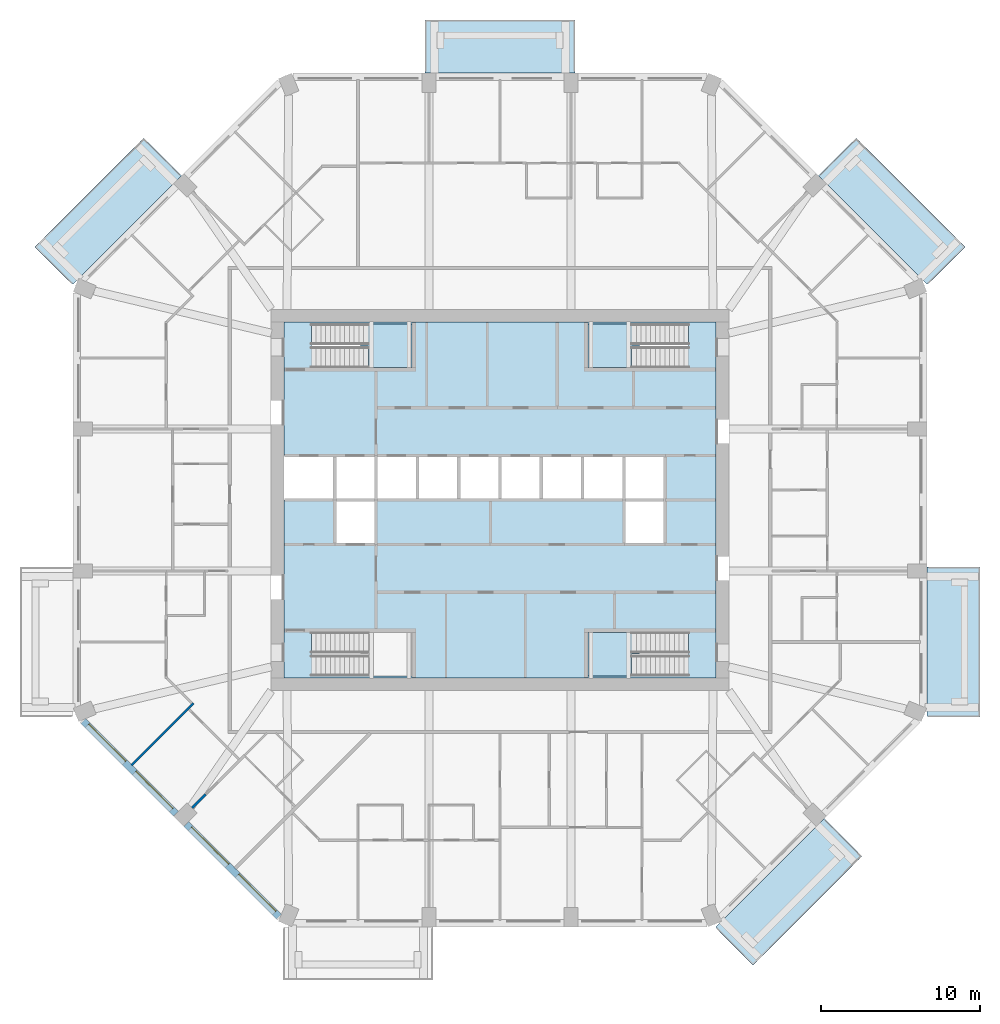
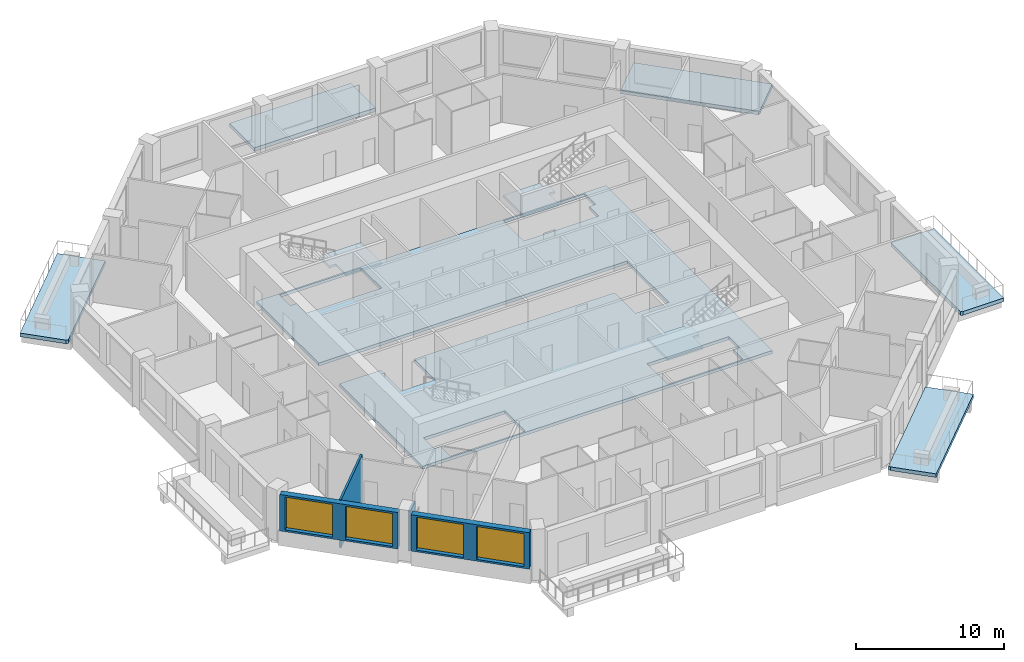
# One storey, part 2 of 12: 9 slabs, 4 walls, 4 windows, 4 openings, 3 elements without a shape of their own.
"""IFC4 building model written with IfcOpenShell, lengths in metres."""

from ifc_helpers import new_model, si_unit, direction, frame, frame_2d, origin, place, context, subcontext, project, spatial, polyline, rectangle, outline, extrude, material, layer, layer_set, type_object, element, fill, aggregate, save


model = new_model("IFC4")

# Units and contexts
model_context = context("Model", 3, precision=1e-05, world=origin(), true_north=direction((0.0, 1.0)))
body_context = subcontext(model_context, "Body", "Model", "MODEL_VIEW")
ifc_project = project(units=[si_unit("LENGTHUNIT", "METRE"), si_unit("AREAUNIT", "SQUARE_METRE"), si_unit("VOLUMEUNIT", "CUBIC_METRE"), si_unit("PLANEANGLEUNIT", "RADIAN"), si_unit("MASSUNIT", "GRAM", prefix="KILO")], contexts=[model_context])

# Site, building, storey
site_placement = place(None, origin())
site = spatial("IfcSite", under=ifc_project, at=site_placement, CompositionType="ELEMENT")
building_placement = place(site_placement, origin())
building = spatial("IfcBuilding", under=site, at=building_placement, Name="Msitu Wima Residences", CompositionType="ELEMENT")
storey_placement = place(building_placement, frame((0.0, 0.0, 119.10009765625)))
storey = spatial("IfcBuildingStorey", under=building, at=storey_placement, Name="L27", CompositionType="ELEMENT", Elevation=119.10009765625)

# Slabs
ifc_material_1 = material(Name="Concrete C40/50", Category="concrete")
ifc_layer_1 = layer(ifc_material_1, 0.300048828125)
ifc_layer_set_1 = layer_set([ifc_layer_1], Name="Concrete C40/50")
slab_type_1 = type_object("IfcSlabType", Name="Balcony slab BS300", PredefinedType="FLOOR", material=ifc_layer_set_1)
slab_1_placement = place(storey_placement, frame((0.0, 0.0, -0.300048828125)))
element("IfcSlab", 1, at=slab_1_placement, inside=storey, type_object=slab_type_1, Name="Balcony E0 L27", PredefinedType="FLOOR", context=body_context, shape_type="SweptSolid", body=[
    extrude(outline(polyline([(26.85009765625, -13.105224609375), (26.85009765625, -13.105224609375), (26.85009765625, -4.918701171875), (26.85009765625, -4.918701171875), (26.85009765625, -4.21875), (30.199951171875, -4.21875), (30.199951171875, -13.656005859375), (27.003662109375, -13.656005859375), (26.85009765625, -13.59228515625), (26.85009765625, -13.105224609375), (26.85009765625, -13.105224609375)])), origin(), (0.0, 0.0, 1.0), 0.300048828125),
])
slab_2_placement = place(storey_placement, frame((0.0, 0.0, -0.300048828125)))
element("IfcSlab", 2, at=slab_2_placement, inside=storey, type_object=slab_type_1, Name="Balcony NE0 L27", PredefinedType="FLOOR", context=body_context, shape_type="SweptSolid", body=[
    extrude(outline(polyline([(22.4130859375, 22.766845703125), (29.263671875, 15.916015625), (27.003662109375, 13.656005859375), (26.85009765625, 13.59228515625), (20.04443359375, 20.39794921875), (22.4130859375, 22.766845703125)])), origin(), (0.0, 0.0, 1.0), 0.300048828125),
])
slab_3_placement = place(storey_placement, frame((0.0, 0.0, -0.300048828125)))
element("IfcSlab", 3, at=slab_3_placement, inside=storey, type_object=slab_type_1, Name="Balcony N1 L27", PredefinedType="FLOOR", context=body_context, shape_type="SweptSolid", body=[
    extrude(outline(polyline([(-4.0185546875, 26.85009765625), (-4.0185546875, 26.85009765625), (-4.71875, 26.85009765625), (-4.71875, 30.199951171875), (4.71875, 30.199951171875), (4.71875, 26.85009765625), (4.0185546875, 26.85009765625), (4.0185546875, 26.85009765625), (-4.0185546875, 26.85009765625)])), origin(), (0.0, 0.0, 1.0), 0.300048828125),
])
slab_4_placement = place(storey_placement, frame((0.0, 0.0, -0.300048828125)))
element("IfcSlab", 4, at=slab_4_placement, inside=storey, type_object=slab_type_1, Name="Balcony NW1 L27", PredefinedType="FLOOR", context=body_context, shape_type="SweptSolid", body=[
    extrude(outline(polyline([(-29.263671875, 15.916015625), (-22.4130859375, 22.766845703125), (-20.04443359375, 20.39794921875), (-26.85009765625, 13.59228515625), (-27.003662109375, 13.656005859375), (-29.263671875, 15.916015625)])), origin(), (0.0, 0.0, 1.0), 0.300048828125),
])
slab_5_placement = place(storey_placement, frame((0.0, 0.0, -0.300048828125)))
element("IfcSlab", 5, at=slab_5_placement, inside=storey, type_object=slab_type_1, Name="Balcony SE0 L27", PredefinedType="FLOOR", context=body_context, shape_type="SweptSolid", body=[
    extrude(outline(polyline([(22.766845703125, -22.4130859375), (15.916015625, -29.263671875), (13.656005859375, -27.003662109375), (13.59228515625, -26.85009765625), (20.39794921875, -20.04443359375), (22.766845703125, -22.4130859375)])), origin(), (0.0, 0.0, 1.0), 0.300048828125),
])
ifc_layer_2 = layer(ifc_material_1, 0.25)
ifc_layer_set_2 = layer_set([ifc_layer_2], Name="Concrete C40/50")
slab_type_2 = type_object("IfcSlabType", Name="Core floor CF250", PredefinedType="FLOOR", material=ifc_layer_set_2)
slab_6_placement = place(storey_placement, frame((0.0, 0.0, -0.25)))
element("IfcSlab", 6, at=slab_6_placement, inside=storey, type_object=slab_type_2, Name="Core floor", PredefinedType="FLOOR", context=body_context, shape_type="SweptSolid", body=[
    extrude(outline(polyline([(-13.60009765625, 11.199951171875), (-13.60009765625, 2.800048828125), (-10.39990234375, 2.800048828125), (-7.800048828125, 2.800048828125), (-5.199951171875, 2.800048828125), (-2.60009765625, 2.800048828125), (0.0, 2.800048828125), (2.60009765625, 2.800048828125), (5.199951171875, 2.800048828125), (7.800048828125, 2.800048828125), (10.39990234375, 2.800048828125), (10.39990234375, 0.0), (10.39990234375, -2.800048828125), (7.800048828125, -2.800048828125), (7.800048828125, 0.0), (5.199951171875, 0.0), (2.60009765625, 0.0), (0.0, 0.0), (-2.60009765625, 0.0), (-5.199951171875, 0.0), (-7.800048828125, 0.0), (-7.800048828125, -2.800048828125), (-10.39990234375, -2.800048828125), (-10.39990234375, 0.0), (-13.60009765625, 0.0), (-13.60009765625, -11.199951171875), (13.60009765625, -11.199951171875), (13.60009765625, 11.199951171875), (-13.60009765625, 11.199951171875)]), holes=[polyline([(-11.375, -11.074951171875), (-11.375, -9.77490234375), (-11.87451171875, -9.77490234375), (-11.87451171875, -8.324951171875), (-5.52490234375, -8.324951171875), (-5.52490234375, -11.074951171875), (-11.375, -11.074951171875)]), polyline([(-11.375, 9.625), (-11.87451171875, 9.625), (-11.87451171875, 11.074951171875), (-5.52490234375, 11.074951171875), (-5.52490234375, 8.324951171875), (-11.375, 8.324951171875), (-11.375, 9.625)]), polyline([(11.375, -9.77490234375), (11.375, -11.074951171875), (5.52490234375, -11.074951171875), (5.52490234375, -8.324951171875), (11.87451171875, -8.324951171875), (11.87451171875, -9.77490234375), (11.375, -9.77490234375)]), polyline([(11.375, 9.625), (11.375, 8.324951171875), (5.52490234375, 8.324951171875), (5.52490234375, 11.074951171875), (11.87451171875, 11.074951171875), (11.87451171875, 9.625), (11.375, 9.625)])]), origin(), (0.0, 0.0, 1.0), 0.25),
])

# Stair, slab
stair_type = type_object("IfcStairType", Name="Exit stair ES1615-130", PredefinedType="HALF_TURN_STAIR", material=ifc_material_1)
stair_1_placement = place(storey_placement, origin())
stair_1 = element("IfcStair", 7, at=stair_1_placement, inside=storey, type_object=stair_type, Name="Exit stair 1", PredefinedType="HALF_TURN_STAIR")
ifc_layer_3 = layer(ifc_material_1, 0.199951171875)
ifc_layer_set_3 = layer_set([ifc_layer_3], Name="Concrete C40/50")
slab_type_3 = type_object("IfcSlabType", Name="Stair landing SL200", PredefinedType="LANDING", material=ifc_layer_set_3)
slab_7_placement = place(storey_placement, frame((0.0, 0.0, 1.89990234375)))
slab_7 = element("IfcSlab", 8, at=slab_7_placement, type_object=slab_type_3, Name="S1 landing 1", PredefinedType="LANDING", context=body_context, shape_type="SweptSolid", body=[
    extrude(outline(polyline([(-5.52490234375, 8.324951171875), (-8.275390625, 8.324951171875), (-8.275390625, 9.699951171875), (-8.77490234375, 9.699951171875), (-8.77490234375, 11.074951171875), (-5.52490234375, 11.074951171875), (-5.52490234375, 8.324951171875)])), origin(), (0.0, 0.0, 1.0), 0.199951171875),
])
aggregate(stair_1, [slab_7])

stair_2_placement = place(storey_placement, origin())
stair_2 = element("IfcStair", 9, at=stair_2_placement, inside=storey, type_object=stair_type, Name="Exit stair 3", PredefinedType="HALF_TURN_STAIR")
slab_8_placement = place(storey_placement, frame((0.0, 0.0, 1.89990234375)))
slab_8 = element("IfcSlab", 10, at=slab_8_placement, type_object=slab_type_3, Name="S3 landing 1", PredefinedType="LANDING", context=body_context, shape_type="SweptSolid", body=[
    extrude(outline(polyline([(5.52490234375, 8.324951171875), (8.275390625, 8.324951171875), (8.275390625, 9.699951171875), (8.77490234375, 9.699951171875), (8.77490234375, 11.074951171875), (5.52490234375, 11.074951171875), (5.52490234375, 8.324951171875)])), origin(), (0.0, 0.0, 1.0), 0.199951171875),
])
aggregate(stair_2, [slab_8])

stair_3_placement = place(storey_placement, origin())
stair_3 = element("IfcStair", 11, at=stair_3_placement, inside=storey, type_object=stair_type, Name="Exit stair 4", PredefinedType="HALF_TURN_STAIR")
slab_9_placement = place(storey_placement, frame((0.0, 0.0, 1.89990234375)))
slab_9 = element("IfcSlab", 12, at=slab_9_placement, type_object=slab_type_3, Name="S4 landing 1", PredefinedType="LANDING", context=body_context, shape_type="SweptSolid", body=[
    extrude(outline(polyline([(5.52490234375, -11.074951171875), (8.275390625, -11.074951171875), (8.275390625, -9.699951171875), (8.77490234375, -9.699951171875), (8.77490234375, -8.324951171875), (5.52490234375, -8.324951171875), (5.52490234375, -11.074951171875)])), origin(), (0.0, 0.0, 1.0), 0.199951171875),
])
aggregate(stair_3, [slab_9])

# Wall, openings, windows
ifc_material_2 = material(Name="Brick (red buff mix)", Category="masonry")
ifc_layer_4 = layer(ifc_material_2, 0.449951171875)
ifc_layer_set_4 = layer_set([ifc_layer_4], Name="Brick (red buff mix)")
wall_type_1 = type_object("IfcWallType", Name="Brick infill wall BW450", PredefinedType="SOLIDWALL", material=ifc_layer_set_4)
wall_1_placement = place(storey_placement, frame((-26.214599609375, -13.909423828125, 0.89990234375), z_axis=(0.0, 0.0, 1.0), x_axis=(0.707106781187, -0.707106781187, 0.0)))
wall_1 = element("IfcWall", 13, at=wall_1_placement, inside=storey, type_object=wall_type_1, Name="Brick infill wall L27 SW0", PredefinedType="SOLIDWALL", context=body_context, shape_type="SweptSolid", body=[
    extrude(rectangle(XDim=8.251220703125, YDim=0.449951171875, at=frame_2d((4.12548828125, 0.0))), origin(), (0.0, 0.0, 1.0), 3.0),
])
opening_1_placement = place(wall_1_placement, frame((0.37548828125, 0.0, 0.14990234375)))
opening_1 = element("IfcOpeningElement", 14, at=opening_1_placement, cuts=wall_1, Name="Opening W27-29.025", PredefinedType="OPENING", context=body_context, shape_type="SweptSolid", body=[
    extrude(rectangle(XDim=3.300048828125, YDim=2.699951171875, at=frame_2d((1.64990234375, 1.35009765625))), frame((0.0, 0.23486328125, 0.0), z_axis=(0.0, -1.0, 0.0), x_axis=(1.0, 0.0, 0.0)), (0.0, 0.0, 1.0), 0.469970703125),
])
opening_2_placement = place(wall_1_placement, frame((4.57568359375, 0.0, 0.14990234375)))
opening_2 = element("IfcOpeningElement", 15, at=opening_2_placement, cuts=wall_1, Name="Opening W27-29.026", PredefinedType="OPENING", context=body_context, shape_type="SweptSolid", body=[
    extrude(rectangle(XDim=3.300048828125, YDim=2.699951171875, at=frame_2d((1.64990234375, 1.35009765625))), frame((0.0, 0.23486328125, 0.0), z_axis=(0.0, -1.0, 0.0), x_axis=(1.0, 0.0, 0.0)), (0.0, 0.0, 1.0), 0.469970703125),
])
ifc_material_3 = material(Name="Anodised aluminium, bronze finish, clear low-emissivity double glazing", Category="aluminium")
window_type = type_object("IfcWindowType", Name="Window W3300x2700", PartitioningType="DOUBLE_PANEL_VERTICAL", PredefinedType="WINDOW", material=ifc_material_3)
window_1_placement = place(opening_1_placement, origin())
window_1 = element("IfcWindow", 16, at=window_1_placement, inside=storey, type_object=window_type, Name="Window L27 SW0.1", OverallHeight=2.699951171875, OverallWidth=3.300048828125, PartitioningType="SINGLE_PANEL", PredefinedType="WINDOW", context=body_context, shape_type="SweptSolid", body=[
    extrude(rectangle(XDim=3.300048828125, YDim=2.699951171875, at=frame_2d((1.64990234375, 1.35009765625))), frame((0.0, 0.135009765625, 0.0), z_axis=(0.0, -1.0, 0.0), x_axis=(1.0, 0.0, 0.0)), (0.0, 0.0, 1.0), 0.06005859375),
])
fill(opening_1, window_1)
window_2_placement = place(opening_2_placement, origin())
window_2 = element("IfcWindow", 17, at=window_2_placement, inside=storey, type_object=window_type, Name="Window L27 SW0.2", OverallHeight=2.699951171875, OverallWidth=3.300048828125, PartitioningType="SINGLE_PANEL", PredefinedType="WINDOW", context=body_context, shape_type="SweptSolid", body=[
    extrude(rectangle(XDim=3.300048828125, YDim=2.699951171875, at=frame_2d((1.64990234375, 1.35009765625))), frame((0.0, 0.135009765625, 0.0), z_axis=(0.0, -1.0, 0.0), x_axis=(1.0, 0.0, 0.0)), (0.0, 0.0, 1.0), 0.06005859375),
])
fill(opening_2, window_2)

wall_2_placement = place(storey_placement, frame((-19.743896484375, -20.380126953125, 0.89990234375), z_axis=(0.0, 0.0, 1.0), x_axis=(0.707106781187, -0.707106781187, 0.0)))
wall_2 = element("IfcWall", 18, at=wall_2_placement, inside=storey, type_object=wall_type_1, Name="Brick infill wall L27 SW1", PredefinedType="SOLIDWALL", context=body_context, shape_type="SweptSolid", body=[
    extrude(rectangle(XDim=8.251220703125, YDim=0.449951171875, at=frame_2d((4.12548828125, 0.0))), origin(), (0.0, 0.0, 1.0), 3.0),
])
opening_3_placement = place(wall_2_placement, frame((0.37548828125, 0.0, 0.14990234375)))
opening_3 = element("IfcOpeningElement", 19, at=opening_3_placement, cuts=wall_2, Name="Opening W27-29.027", PredefinedType="OPENING", context=body_context, shape_type="SweptSolid", body=[
    extrude(rectangle(XDim=3.300048828125, YDim=2.699951171875, at=frame_2d((1.64990234375, 1.35009765625))), frame((0.0, 0.23486328125, 0.0), z_axis=(0.0, -1.0, 0.0), x_axis=(1.0, 0.0, 0.0)), (0.0, 0.0, 1.0), 0.469970703125),
])
opening_4_placement = place(wall_2_placement, frame((4.57568359375, 0.0, 0.14990234375)))
opening_4 = element("IfcOpeningElement", 20, at=opening_4_placement, cuts=wall_2, Name="Opening W27-29.028", PredefinedType="OPENING", context=body_context, shape_type="SweptSolid", body=[
    extrude(rectangle(XDim=3.300048828125, YDim=2.699951171875, at=frame_2d((1.64990234375, 1.35009765625))), frame((0.0, 0.23486328125, 0.0), z_axis=(0.0, -1.0, 0.0), x_axis=(1.0, 0.0, 0.0)), (0.0, 0.0, 1.0), 0.469970703125),
])
window_3_placement = place(opening_3_placement, origin())
window_3 = element("IfcWindow", 21, at=window_3_placement, inside=storey, type_object=window_type, Name="Window L27 SW1.1", OverallHeight=2.699951171875, OverallWidth=3.300048828125, PartitioningType="SINGLE_PANEL", PredefinedType="WINDOW", context=body_context, shape_type="SweptSolid", body=[
    extrude(rectangle(XDim=3.300048828125, YDim=2.699951171875, at=frame_2d((1.64990234375, 1.35009765625))), frame((0.0, 0.135009765625, 0.0), z_axis=(0.0, -1.0, 0.0), x_axis=(1.0, 0.0, 0.0)), (0.0, 0.0, 1.0), 0.06005859375),
])
fill(opening_3, window_3)
window_4_placement = place(opening_4_placement, origin())
window_4 = element("IfcWindow", 22, at=window_4_placement, inside=storey, type_object=window_type, Name="Window L27 SW1.2", OverallHeight=2.699951171875, OverallWidth=3.300048828125, PartitioningType="SINGLE_PANEL", PredefinedType="WINDOW", context=body_context, shape_type="SweptSolid", body=[
    extrude(rectangle(XDim=3.300048828125, YDim=2.699951171875, at=frame_2d((1.64990234375, 1.35009765625))), frame((0.0, 0.135009765625, 0.0), z_axis=(0.0, -1.0, 0.0), x_axis=(1.0, 0.0, 0.0)), (0.0, 0.0, 1.0), 0.06005859375),
])
fill(opening_4, window_4)

# Walls
ifc_material_4 = material(Name="Plaster")
ifc_layer_5 = layer(ifc_material_4, 0.011962890625, Name="Plaster")
ifc_material_5 = material(Name="Concrete blockwork", Category="masonry")
ifc_layer_6 = layer(ifc_material_5, 0.1259765625, Name="Concrete blockwork")
ifc_layer_7 = layer(ifc_material_4, 0.011962890625, Name="Plaster")
ifc_layer_set_5 = layer_set([ifc_layer_5, ifc_layer_6, ifc_layer_7], Name="Concrete blockwork")
wall_type_2 = type_object("IfcWallType", Name="Partition PW150", PredefinedType="PARTITIONING", material=ifc_layer_set_5)
wall_3_placement = place(storey_placement, frame((-23.1904296875, -16.693359375, 0.0), z_axis=(0.0, 0.0, 1.0), x_axis=(0.707106781187, 0.707106781187, 0.0)))
element("IfcWall", 23, at=wall_3_placement, inside=storey, type_object=wall_type_2, Name="Partition", PredefinedType="PARTITIONING", context=body_context, shape_type="SweptSolid", body=[
    extrude(rectangle(XDim=5.530029296875, YDim=0.14990234375, at=frame_2d((2.76513671875, 0.0))), origin(), (0.0, 0.0, 1.0), 3.949951171875),
])
wall_4_placement = place(storey_placement, frame((-19.37255859375, -19.37255859375, 0.0), z_axis=(0.0, 0.0, 1.0), x_axis=(0.707106781187, 0.707106781187, 0.0)))
element("IfcWall", 24, at=wall_4_placement, inside=storey, type_object=wall_type_2, Name="Partition", PredefinedType="PARTITIONING", context=body_context, shape_type="SweptSolid", body=[
    extrude(rectangle(XDim=1.209228515625, YDim=0.14990234375, at=frame_2d((0.6044921875, 0.0))), origin(), (0.0, 0.0, 1.0), 3.2998046875),
])

save(model, "model.ifc")
